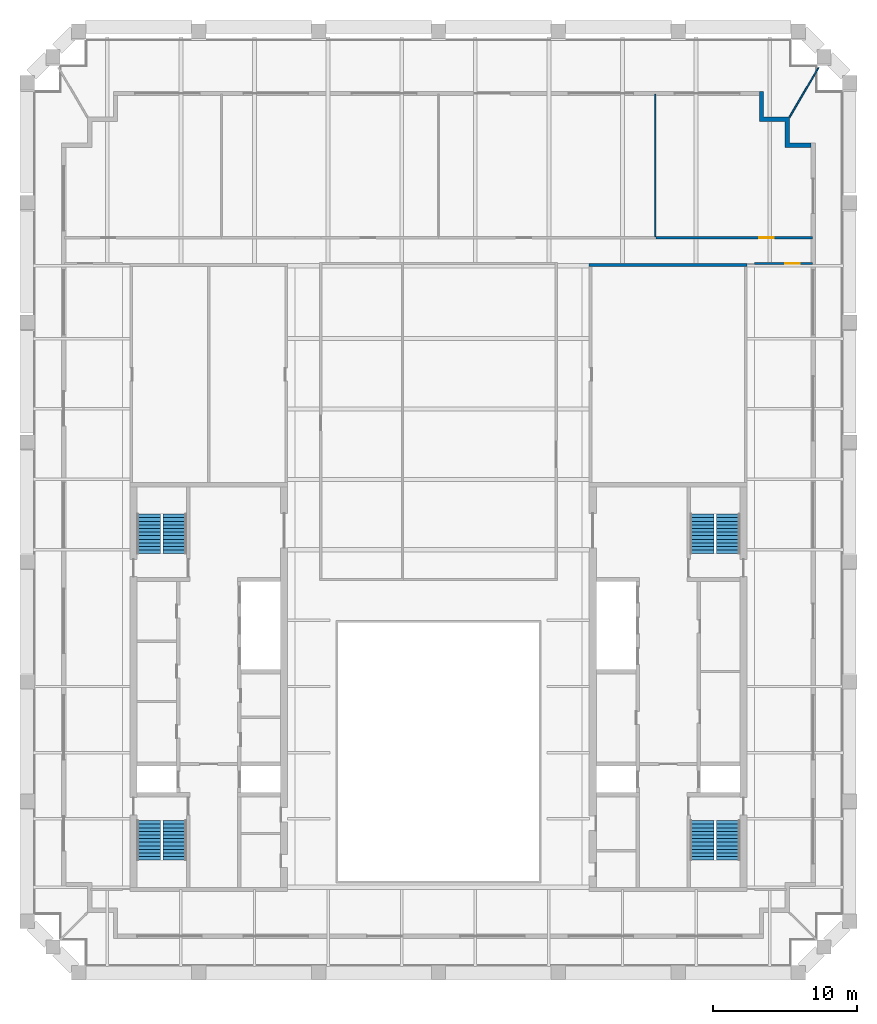
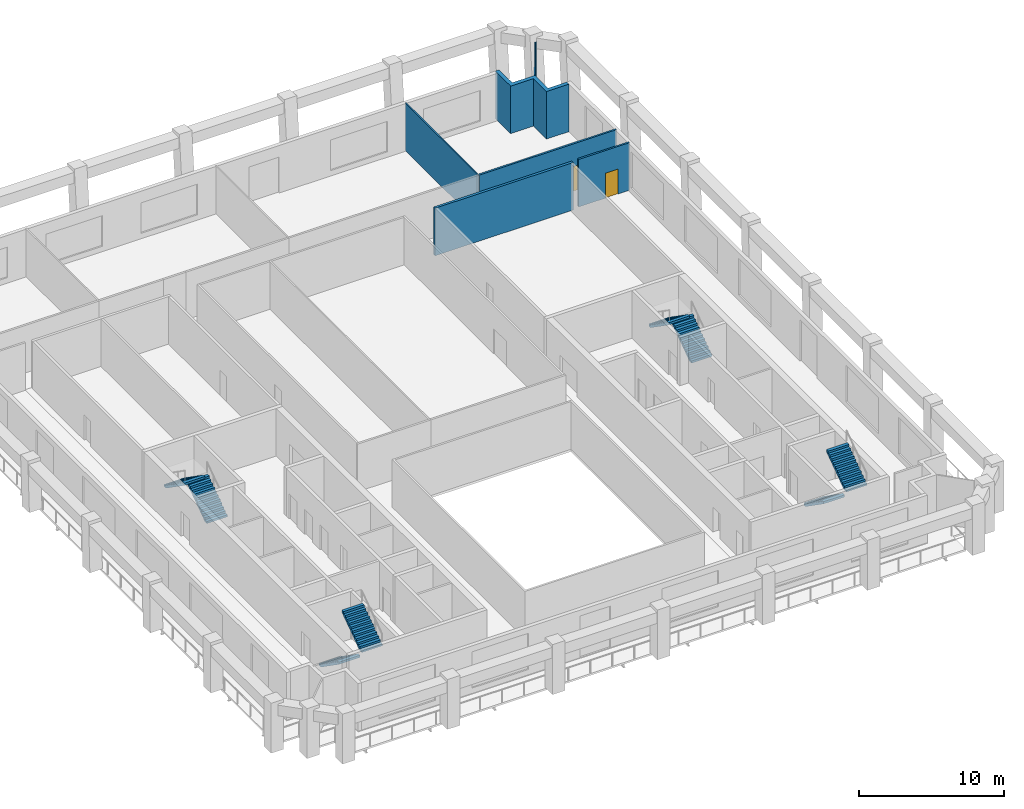
# One storey, part 6 of 7: 8 stair flights, 6 walls, 2 doors, 2 openings, 4 elements without a shape of their own.
"""IFC4 building model written with IfcOpenShell, lengths in metres."""

from ifc_helpers import new_model, si_unit, direction, frame, frame_2d, origin, place, context, subcontext, project, spatial, polyline, rectangle, outline, extrude, material, layer, layer_set, type_object, element, fill, aggregate, save


model = new_model("IFC4")

# Units and contexts
model_context = context("Model", 3, precision=1e-05, world=origin(), true_north=direction((0.0, 1.0)))
body_context = subcontext(model_context, "Body", "Model", "MODEL_VIEW")
ifc_project = project(units=[si_unit("LENGTHUNIT", "METRE"), si_unit("AREAUNIT", "SQUARE_METRE"), si_unit("VOLUMEUNIT", "CUBIC_METRE"), si_unit("PLANEANGLEUNIT", "RADIAN"), si_unit("MASSUNIT", "GRAM", prefix="KILO")], contexts=[model_context])

# Site, building, storey
site_placement = place(None, origin())
site = spatial("IfcSite", under=ifc_project, at=site_placement, CompositionType="ELEMENT")
building_placement = place(site_placement, origin())
building = spatial("IfcBuilding", under=site, at=building_placement, Name="Ogive Exchange Tower", CompositionType="ELEMENT")
storey_placement = place(building_placement, frame((0.0, 0.0, 321.60009765625)))
storey = spatial("IfcBuildingStorey", under=building, at=storey_placement, Name="L70", CompositionType="ELEMENT", Elevation=321.60009765625)

# Wall, opening, door
ifc_material_1 = material(Name="Fire partition EI 60 150")
ifc_layer_1 = layer(ifc_material_1, 0.14990234375)
ifc_layer_set_1 = layer_set([ifc_layer_1], Name="Fire partition EI 60 150")
wall_type_1 = type_object("IfcWallType", Name="Fire partition EI 60 150", PredefinedType="PARTITIONING", material=ifc_layer_set_1)
wall_1_placement = place(storey_placement, frame((15.14990234375, 42.800048828125, 0.0), z_axis=(0.0, 0.0, 1.0), x_axis=(1.0, 0.0, 0.0)))
wall_1 = element("IfcWall", 1, at=wall_1_placement, inside=storey, type_object=wall_type_1, Name="L70-PWL-017", PredefinedType="PARTITIONING", context=body_context, shape_type="SweptSolid", body=[
    extrude(rectangle(XDim=10.900146484375, YDim=0.14990234375, at=frame_2d((5.4501953125, 0.0))), origin(), (0.0, 0.0, 1.0), 4.0),
])
opening_1_placement = place(wall_1_placement, frame((7.199951171875, 0.0, 0.0)))
opening_1 = element("IfcOpeningElement", 2, at=opening_1_placement, cuts=wall_1, Name="Opening L70-I02", PredefinedType="OPENING", context=body_context, shape_type="SweptSolid", body=[
    extrude(rectangle(XDim=1.0, YDim=2.10009765625, at=frame_2d((0.5, 1.050048828125))), frame((0.0, 0.0849609375, 0.0), z_axis=(0.0, -1.0, 0.0), x_axis=(1.0, 0.0, 0.0)), (0.0, 0.0, 1.0), 0.169921875),
])
ifc_material_2 = material(Name="Fire door FD 30S 1000 x 2100")
door_type = type_object("IfcDoorType", Name="Fire door FD 30S 1000 x 2100", OperationType="NOTDEFINED", PredefinedType="DOOR", material=ifc_material_2)
door_1_placement = place(opening_1_placement, origin())
door_1 = element("IfcDoor", 3, at=door_1_placement, inside=storey, type_object=door_type, Name="L70-IDR-002", ObjectType="DT3", OperationType="SINGLE_SWING_LEFT", OverallHeight=2.10009765625, OverallWidth=1.0, PredefinedType="DOOR", context=body_context, shape_type="SweptSolid", body=[
    extrude(rectangle(XDim=1.0, YDim=2.10009765625, at=frame_2d((0.5, 1.050048828125))), frame((0.0, 0.02490234375, 0.0), z_axis=(0.0, -1.0, 0.0), x_axis=(1.0, 0.0, 0.0)), (0.0, 0.0, 1.0), 0.050048828125),
])
fill(opening_1, door_1)

wall_2_placement = place(storey_placement, frame((26.050048828125, 41.0, 0.0), z_axis=(0.0, 0.0, 1.0), x_axis=(-1.0, 0.0, 0.0)))
wall_2 = element("IfcWall", 4, at=wall_2_placement, inside=storey, type_object=wall_type_1, Name="L70-PWL-020", PredefinedType="PARTITIONING", context=body_context, shape_type="SweptSolid", body=[
    extrude(rectangle(XDim=4.050048828125, YDim=0.14990234375, at=frame_2d((2.02490234375, 0.0))), origin(), (0.0, 0.0, 1.0), 4.0),
])
opening_2_placement = place(wall_2_placement, frame((0.89990234375, 0.0, 0.0)))
opening_2 = element("IfcOpeningElement", 5, at=opening_2_placement, cuts=wall_2, Name="Opening L70-I08", PredefinedType="OPENING", context=body_context, shape_type="SweptSolid", body=[
    extrude(rectangle(XDim=1.0, YDim=2.10009765625, at=frame_2d((0.5, 1.050048828125))), frame((0.0, 0.0849609375, 0.0), z_axis=(0.0, -1.0, 0.0), x_axis=(1.0, 0.0, 0.0)), (0.0, 0.0, 1.0), 0.169921875),
])
door_2_placement = place(opening_2_placement, origin())
door_2 = element("IfcDoor", 6, at=door_2_placement, inside=storey, type_object=door_type, Name="L70-IDR-008", ObjectType="DT3", OperationType="SINGLE_SWING_RIGHT", OverallHeight=2.10009765625, OverallWidth=1.0, PredefinedType="DOOR", context=body_context, shape_type="SweptSolid", body=[
    extrude(rectangle(XDim=1.0, YDim=2.10009765625, at=frame_2d((0.5, 1.050048828125))), frame((0.0, 0.02490234375, 0.0), z_axis=(0.0, -1.0, 0.0), x_axis=(1.0, 0.0, 0.0)), (0.0, 0.0, 1.0), 0.050048828125),
])
fill(opening_2, door_2)

# Walls
ifc_material_3 = material(Name="Precast concrete C40/50", Category="concrete")
ifc_layer_2 = layer(ifc_material_3, 0.300048828125)
ifc_layer_set_2 = layer_set([ifc_layer_2], Name="Limestone-faced wall 300")
wall_type_2 = type_object("IfcWallType", Name="Limestone-faced wall 300", PredefinedType="STANDARD", material=ifc_layer_set_2)
wall_3_placement = place(storey_placement, origin())
element("IfcWall", 7, at=wall_3_placement, inside=storey, type_object=wall_type_2, Name="External corner wall C2", PredefinedType="STANDARD", context=body_context, shape_type="SweptSolid", body=[
    extrude(outline(polyline([(24.14990234375, 50.89990234375), (22.35009765625, 50.89990234375), (22.35009765625, 53.0), (22.64990234375, 53.0), (22.64990234375, 51.199951171875), (24.449951171875, 51.199951171875), (24.449951171875, 49.39990234375), (25.949951171875, 49.39990234375), (25.949951171875, 49.10009765625), (24.14990234375, 49.10009765625), (24.14990234375, 50.89990234375)])), origin(), (0.0, 0.0, 1.0), 4.0),
])
ifc_material_4 = material(Name="Laminated safety glass in steel frame", Category="steel")
ifc_layer_3 = layer(ifc_material_4, 0.10009765625)
ifc_layer_set_3 = layer_set([ifc_layer_3], Name="Loggia end screen 100")
wall_type_3 = type_object("IfcWallType", Name="Loggia end screen 100", PredefinedType="STANDARD", material=ifc_layer_set_3)
wall_4_placement = place(storey_placement, frame((24.449951171875, 51.199951171875, -0.050048828125), z_axis=(0.0, 0.0, 1.0), x_axis=(0.506031495682, 0.862515000089, 0.0)))
element("IfcWall", 8, at=wall_4_placement, inside=storey, type_object=wall_type_3, Name="Loggia end screen C2", PredefinedType="STANDARD", context=body_context, shape_type="SweptSolid", body=[
    extrude(rectangle(XDim=4.01611328125, YDim=0.10009765625, at=frame_2d((2.008056640625, 0.0))), origin(), (0.0, 0.0, 1.0), 4.050048828125),
])
ifc_material_5 = material(Name="Partition 100 gypsum")
ifc_layer_4 = layer(ifc_material_5, 0.10009765625)
ifc_layer_set_4 = layer_set([ifc_layer_4], Name="Partition 100 gypsum")
wall_type_4 = type_object("IfcWallType", Name="Partition 100 gypsum", PredefinedType="PARTITIONING", material=ifc_layer_set_4)
wall_5_placement = place(storey_placement, frame((15.10009765625, 52.800048828125, 0.0), z_axis=(0.0, 0.0, 1.0), x_axis=(0.0, -1.0, 0.0)))
element("IfcWall", 9, at=wall_5_placement, inside=storey, type_object=wall_type_4, Name="L70-PWL-018", PredefinedType="PARTITIONING", context=body_context, shape_type="SweptSolid", body=[
    extrude(rectangle(XDim=9.925048828125, YDim=0.10009765625, at=frame_2d((4.96240234375, 0.0))), origin(), (0.0, 0.0, 1.0), 4.0),
])
ifc_material_6 = material(Name="Concrete C70/85", Category="concrete")
ifc_layer_5 = layer(ifc_material_6, 0.199951171875)
ifc_layer_set_5 = layer_set([ifc_layer_5], Name="RC core wall 200 C70/85")
wall_type_5 = type_object("IfcWallType", Name="RC core wall 200 C70/85", PredefinedType="SHEAR", material=ifc_layer_set_5)
wall_6_placement = place(storey_placement, frame((10.5, 40.89990234375, 0.0), z_axis=(0.0, 0.0, 1.0), x_axis=(1.0, 0.0, 0.0)))
element("IfcWall", 10, at=wall_6_placement, inside=storey, type_object=wall_type_5, Name="E annex N end wall", PredefinedType="SHEAR", context=body_context, shape_type="SweptSolid", body=[
    extrude(rectangle(XDim=11.0, YDim=0.199951171875, at=frame_2d((5.5, 0.0))), origin(), (0.0, 0.0, 1.0), 4.0),
])

# Stair, stair flights
ifc_material_7 = material(Name="Concrete C40/50", Category="concrete")
stair_type = type_object("IfcStairType", Name="Exit stair 1650 wide", PredefinedType="HALF_TURN_STAIR", material=ifc_material_7)
stair_1_placement = place(storey_placement, origin())
stair_1 = element("IfcStair", 11, at=stair_1_placement, inside=storey, type_object=stair_type, Name="L70 exit stair ST1", PredefinedType="HALF_TURN_STAIR")
stair_flight_type = type_object("IfcStairFlightType", Name="Stair flight 1650 wide", PredefinedType="STRAIGHT", material=ifc_material_7)
stair_flight_1_placement = place(storey_placement, frame((-20.175048828125, 2.199951171875, 0.0), z_axis=(0.0, 0.0, 1.0), x_axis=(0.0, -1.0, 0.0)))
stair_flight_1 = element("IfcStairFlight", 12, at=stair_flight_1_placement, type_object=stair_flight_type, Name="ST1 flight 1", NumberOfRisers=12, NumberOfTreads=11, PredefinedType="STRAIGHT", RiserHeight=0.175, TreadLength=0.25, context=body_context, shape_type="SweptSolid", body=[
    extrude(outline(polyline([(0.0, 0.0), (0.0, 0.175048828125), (0.25, 0.175048828125), (0.25, 0.35009765625), (0.5, 0.35009765625), (0.5, 0.52490234375), (0.75, 0.52490234375), (0.75, 0.699951171875), (1.0, 0.699951171875), (1.0, 0.875), (1.25, 0.875), (1.25, 1.050048828125), (1.5, 1.050048828125), (1.5, 1.22509765625), (1.75, 1.22509765625), (1.75, 1.39990234375), (2.0, 1.39990234375), (2.0, 1.574951171875), (2.25, 1.574951171875), (2.25, 1.75), (2.5, 1.75), (2.5, 1.925048828125), (2.75, 1.925048828125), (2.75, 2.10009765625), (2.75, 1.741943359375), (0.261474609375, 0.0), (0.0, 0.0)])), frame((0.0, 0.824951171875, 0.0), z_axis=(0.0, -1.0, 0.0), x_axis=(1.0, 0.0, 0.0)), (0.0, 0.0, 1.0), 1.64990234375),
])
stair_flight_2_placement = place(storey_placement, frame((-18.375, -0.550048828125, 2.099853515625), z_axis=(0.0, 0.0, 1.0), x_axis=(0.0, 1.0, 0.0)))
stair_flight_2 = element("IfcStairFlight", 13, at=stair_flight_2_placement, type_object=stair_flight_type, Name="ST1 flight 2", NumberOfRisers=12, NumberOfTreads=11, PredefinedType="STRAIGHT", RiserHeight=0.175, TreadLength=0.25, context=body_context, shape_type="SweptSolid", body=[
    extrude(outline(polyline([(0.0, 0.0), (0.0, 0.175048828125), (0.25, 0.175048828125), (0.25, 0.35009765625), (0.5, 0.35009765625), (0.5, 0.52490234375), (0.75, 0.52490234375), (0.75, 0.699951171875), (1.0, 0.699951171875), (1.0, 0.875), (1.25, 0.875), (1.25, 1.050048828125), (1.5, 1.050048828125), (1.5, 1.22509765625), (1.75, 1.22509765625), (1.75, 1.39990234375), (2.0, 1.39990234375), (2.0, 1.574951171875), (2.25, 1.574951171875), (2.25, 1.75), (2.5, 1.75), (2.5, 1.925048828125), (2.75, 1.925048828125), (2.75, 2.10009765625), (2.75, 1.741943359375), (0.261474609375, 0.0), (0.0, 0.0)])), frame((0.0, 0.824951171875, 0.0), z_axis=(0.0, -1.0, 0.0), x_axis=(1.0, 0.0, 0.0)), (0.0, 0.0, 1.0), 1.64990234375),
])
aggregate(stair_1, [stair_flight_1, stair_flight_2])

stair_2_placement = place(storey_placement, origin())
stair_2 = element("IfcStair", 14, at=stair_2_placement, inside=storey, type_object=stair_type, Name="L70 exit stair ST2", PredefinedType="HALF_TURN_STAIR")
stair_flight_3_placement = place(storey_placement, frame((-18.375, 20.800048828125, 0.0), z_axis=(0.0, 0.0, 1.0), x_axis=(0.0, 1.0, 0.0)))
stair_flight_3 = element("IfcStairFlight", 15, at=stair_flight_3_placement, type_object=stair_flight_type, Name="ST2 flight 1", NumberOfRisers=12, NumberOfTreads=11, PredefinedType="STRAIGHT", RiserHeight=0.175, TreadLength=0.25, context=body_context, shape_type="SweptSolid", body=[
    extrude(outline(polyline([(0.0, 0.0), (0.0, 0.175048828125), (0.25, 0.175048828125), (0.25, 0.35009765625), (0.5, 0.35009765625), (0.5, 0.52490234375), (0.75, 0.52490234375), (0.75, 0.699951171875), (1.0, 0.699951171875), (1.0, 0.875), (1.25, 0.875), (1.25, 1.050048828125), (1.5, 1.050048828125), (1.5, 1.22509765625), (1.75, 1.22509765625), (1.75, 1.39990234375), (2.0, 1.39990234375), (2.0, 1.574951171875), (2.25, 1.574951171875), (2.25, 1.75), (2.5, 1.75), (2.5, 1.925048828125), (2.75, 1.925048828125), (2.75, 2.10009765625), (2.75, 1.741943359375), (0.261474609375, 0.0), (0.0, 0.0)])), frame((0.0, 0.824951171875, 0.0), z_axis=(0.0, -1.0, 0.0), x_axis=(1.0, 0.0, 0.0)), (0.0, 0.0, 1.0), 1.64990234375),
])
stair_flight_4_placement = place(storey_placement, frame((-20.175048828125, 23.550048828125, 2.099853515625), z_axis=(0.0, 0.0, 1.0), x_axis=(0.0, -1.0, 0.0)))
stair_flight_4 = element("IfcStairFlight", 16, at=stair_flight_4_placement, type_object=stair_flight_type, Name="ST2 flight 2", NumberOfRisers=12, NumberOfTreads=11, PredefinedType="STRAIGHT", RiserHeight=0.175, TreadLength=0.25, context=body_context, shape_type="SweptSolid", body=[
    extrude(outline(polyline([(0.0, 0.0), (0.0, 0.175048828125), (0.25, 0.175048828125), (0.25, 0.35009765625), (0.5, 0.35009765625), (0.5, 0.52490234375), (0.75, 0.52490234375), (0.75, 0.699951171875), (1.0, 0.699951171875), (1.0, 0.875), (1.25, 0.875), (1.25, 1.050048828125), (1.5, 1.050048828125), (1.5, 1.22509765625), (1.75, 1.22509765625), (1.75, 1.39990234375), (2.0, 1.39990234375), (2.0, 1.574951171875), (2.25, 1.574951171875), (2.25, 1.75), (2.5, 1.75), (2.5, 1.925048828125), (2.75, 1.925048828125), (2.75, 2.10009765625), (2.75, 1.741943359375), (0.261474609375, 0.0), (0.0, 0.0)])), frame((0.0, 0.824951171875, 0.0), z_axis=(0.0, -1.0, 0.0), x_axis=(1.0, 0.0, 0.0)), (0.0, 0.0, 1.0), 1.64990234375),
])
aggregate(stair_2, [stair_flight_3, stair_flight_4])

stair_3_placement = place(storey_placement, origin())
stair_3 = element("IfcStair", 17, at=stair_3_placement, inside=storey, type_object=stair_type, Name="L70 exit stair ST3", PredefinedType="HALF_TURN_STAIR")
stair_flight_5_placement = place(storey_placement, frame((18.375, 2.199951171875, 0.0), z_axis=(0.0, 0.0, 1.0), x_axis=(0.0, -1.0, 0.0)))
stair_flight_5 = element("IfcStairFlight", 18, at=stair_flight_5_placement, type_object=stair_flight_type, Name="ST3 flight 1", NumberOfRisers=12, NumberOfTreads=11, PredefinedType="STRAIGHT", RiserHeight=0.175, TreadLength=0.25, context=body_context, shape_type="SweptSolid", body=[
    extrude(outline(polyline([(0.0, 0.0), (0.0, 0.175048828125), (0.25, 0.175048828125), (0.25, 0.35009765625), (0.5, 0.35009765625), (0.5, 0.52490234375), (0.75, 0.52490234375), (0.75, 0.699951171875), (1.0, 0.699951171875), (1.0, 0.875), (1.25, 0.875), (1.25, 1.050048828125), (1.5, 1.050048828125), (1.5, 1.22509765625), (1.75, 1.22509765625), (1.75, 1.39990234375), (2.0, 1.39990234375), (2.0, 1.574951171875), (2.25, 1.574951171875), (2.25, 1.75), (2.5, 1.75), (2.5, 1.925048828125), (2.75, 1.925048828125), (2.75, 2.10009765625), (2.75, 1.741943359375), (0.261474609375, 0.0), (0.0, 0.0)])), frame((0.0, 0.824951171875, 0.0), z_axis=(0.0, -1.0, 0.0), x_axis=(1.0, 0.0, 0.0)), (0.0, 0.0, 1.0), 1.64990234375),
])
stair_flight_6_placement = place(storey_placement, frame((20.175048828125, -0.550048828125, 2.099853515625), z_axis=(0.0, 0.0, 1.0), x_axis=(0.0, 1.0, 0.0)))
stair_flight_6 = element("IfcStairFlight", 19, at=stair_flight_6_placement, type_object=stair_flight_type, Name="ST3 flight 2", NumberOfRisers=12, NumberOfTreads=11, PredefinedType="STRAIGHT", RiserHeight=0.175, TreadLength=0.25, context=body_context, shape_type="SweptSolid", body=[
    extrude(outline(polyline([(0.0, 0.0), (0.0, 0.175048828125), (0.25, 0.175048828125), (0.25, 0.35009765625), (0.5, 0.35009765625), (0.5, 0.52490234375), (0.75, 0.52490234375), (0.75, 0.699951171875), (1.0, 0.699951171875), (1.0, 0.875), (1.25, 0.875), (1.25, 1.050048828125), (1.5, 1.050048828125), (1.5, 1.22509765625), (1.75, 1.22509765625), (1.75, 1.39990234375), (2.0, 1.39990234375), (2.0, 1.574951171875), (2.25, 1.574951171875), (2.25, 1.75), (2.5, 1.75), (2.5, 1.925048828125), (2.75, 1.925048828125), (2.75, 2.10009765625), (2.75, 1.741943359375), (0.261474609375, 0.0), (0.0, 0.0)])), frame((0.0, 0.824951171875, 0.0), z_axis=(0.0, -1.0, 0.0), x_axis=(1.0, 0.0, 0.0)), (0.0, 0.0, 1.0), 1.64990234375),
])
aggregate(stair_3, [stair_flight_5, stair_flight_6])

stair_4_placement = place(storey_placement, origin())
stair_4 = element("IfcStair", 20, at=stair_4_placement, inside=storey, type_object=stair_type, Name="L70 exit stair ST4", PredefinedType="HALF_TURN_STAIR")
stair_flight_7_placement = place(storey_placement, frame((20.175048828125, 20.800048828125, 0.0), z_axis=(0.0, 0.0, 1.0), x_axis=(0.0, 1.0, 0.0)))
stair_flight_7 = element("IfcStairFlight", 21, at=stair_flight_7_placement, type_object=stair_flight_type, Name="ST4 flight 1", NumberOfRisers=12, NumberOfTreads=11, PredefinedType="STRAIGHT", RiserHeight=0.175, TreadLength=0.25, context=body_context, shape_type="SweptSolid", body=[
    extrude(outline(polyline([(0.0, 0.0), (0.0, 0.175048828125), (0.25, 0.175048828125), (0.25, 0.35009765625), (0.5, 0.35009765625), (0.5, 0.52490234375), (0.75, 0.52490234375), (0.75, 0.699951171875), (1.0, 0.699951171875), (1.0, 0.875), (1.25, 0.875), (1.25, 1.050048828125), (1.5, 1.050048828125), (1.5, 1.22509765625), (1.75, 1.22509765625), (1.75, 1.39990234375), (2.0, 1.39990234375), (2.0, 1.574951171875), (2.25, 1.574951171875), (2.25, 1.75), (2.5, 1.75), (2.5, 1.925048828125), (2.75, 1.925048828125), (2.75, 2.10009765625), (2.75, 1.741943359375), (0.261474609375, 0.0), (0.0, 0.0)])), frame((0.0, 0.824951171875, 0.0), z_axis=(0.0, -1.0, 0.0), x_axis=(1.0, 0.0, 0.0)), (0.0, 0.0, 1.0), 1.64990234375),
])
stair_flight_8_placement = place(storey_placement, frame((18.375, 23.550048828125, 2.099853515625), z_axis=(0.0, 0.0, 1.0), x_axis=(0.0, -1.0, 0.0)))
stair_flight_8 = element("IfcStairFlight", 22, at=stair_flight_8_placement, type_object=stair_flight_type, Name="ST4 flight 2", NumberOfRisers=12, NumberOfTreads=11, PredefinedType="STRAIGHT", RiserHeight=0.175, TreadLength=0.25, context=body_context, shape_type="SweptSolid", body=[
    extrude(outline(polyline([(0.0, 0.0), (0.0, 0.175048828125), (0.25, 0.175048828125), (0.25, 0.35009765625), (0.5, 0.35009765625), (0.5, 0.52490234375), (0.75, 0.52490234375), (0.75, 0.699951171875), (1.0, 0.699951171875), (1.0, 0.875), (1.25, 0.875), (1.25, 1.050048828125), (1.5, 1.050048828125), (1.5, 1.22509765625), (1.75, 1.22509765625), (1.75, 1.39990234375), (2.0, 1.39990234375), (2.0, 1.574951171875), (2.25, 1.574951171875), (2.25, 1.75), (2.5, 1.75), (2.5, 1.925048828125), (2.75, 1.925048828125), (2.75, 2.10009765625), (2.75, 1.741943359375), (0.261474609375, 0.0), (0.0, 0.0)])), frame((0.0, 0.824951171875, 0.0), z_axis=(0.0, -1.0, 0.0), x_axis=(1.0, 0.0, 0.0)), (0.0, 0.0, 1.0), 1.64990234375),
])
aggregate(stair_4, [stair_flight_7, stair_flight_8])

save(model, "model.ifc")
